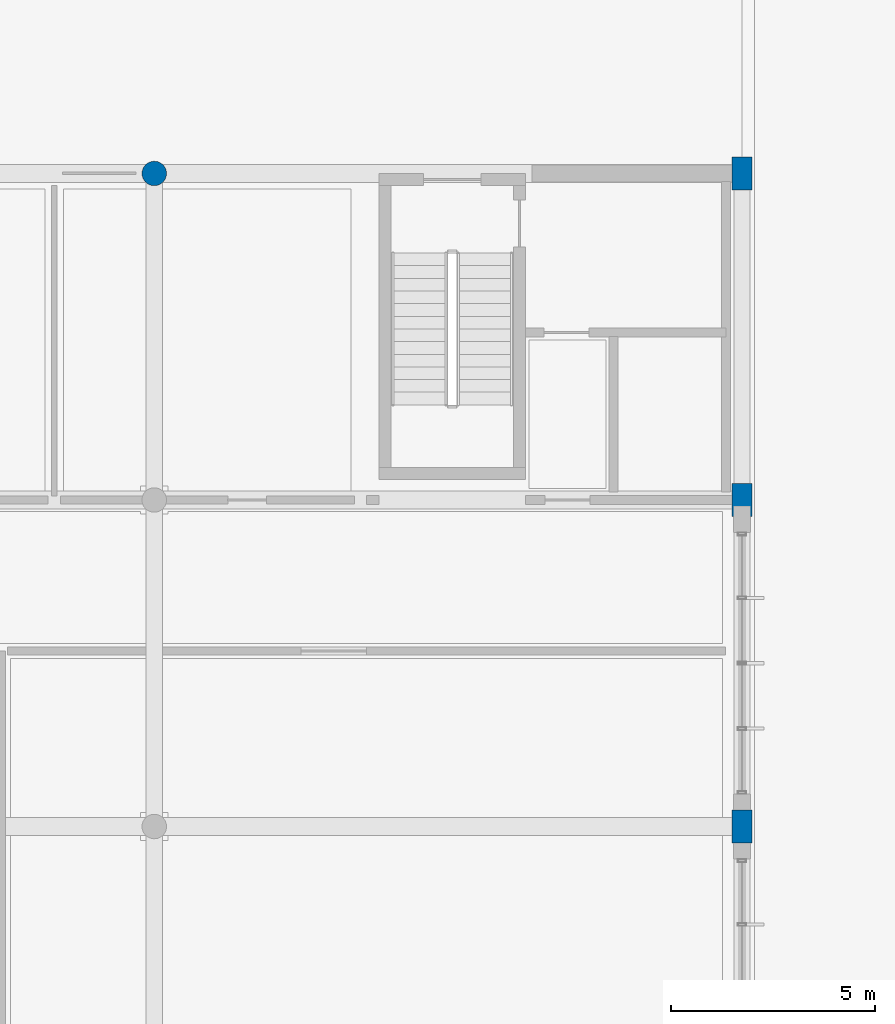
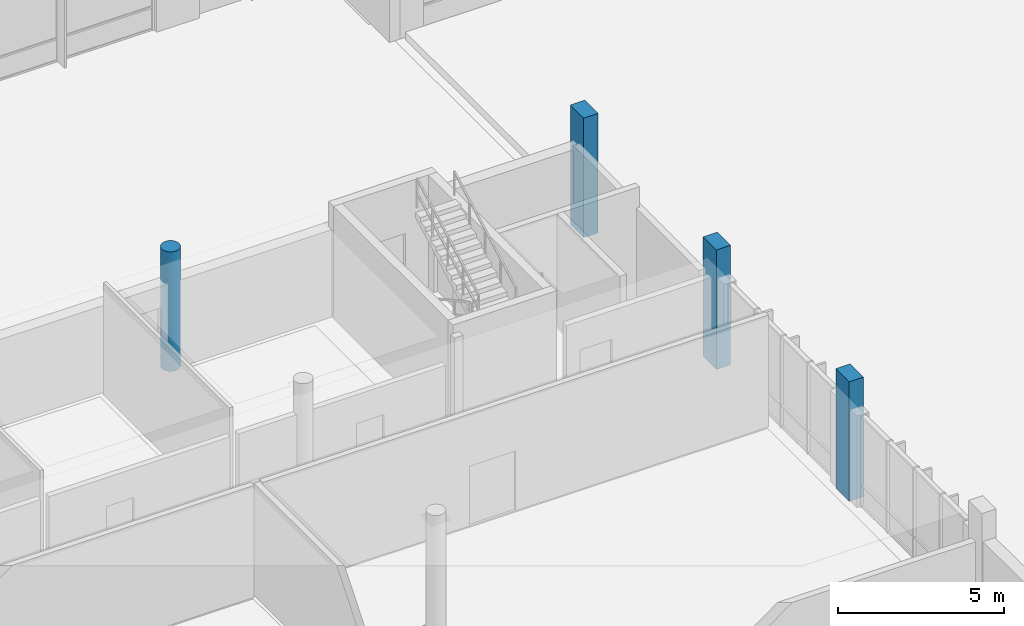
# One storey, part 10 of 233: 4 columns.
"""IFC4 building model written with IfcOpenShell, lengths in metres."""

from ifc_helpers import new_model, si_unit, direction, frame, origin, origin_2d, place, context, subcontext, project, spatial, rectangle, circle, extrude, material, material_profile, profile_set, type_object, element, save


model = new_model("IFC4")

# Units and contexts
model_context = context("Model", 3, precision=1e-05, world=origin(), true_north=direction((0.0, 1.0)))
body_context = subcontext(model_context, "Body", "Model", "MODEL_VIEW")
ifc_project = project(units=[si_unit("LENGTHUNIT", "METRE"), si_unit("AREAUNIT", "SQUARE_METRE"), si_unit("VOLUMEUNIT", "CUBIC_METRE"), si_unit("PLANEANGLEUNIT", "RADIAN"), si_unit("MASSUNIT", "GRAM", prefix="KILO")], contexts=[model_context])

# Site, building, storey
site_placement = place(None, origin())
site = spatial("IfcSite", under=ifc_project, at=site_placement, CompositionType="ELEMENT")
building_placement = place(site_placement, origin())
building = spatial("IfcBuilding", under=site, at=building_placement, Name="Zavelmont Quarter", CompositionType="ELEMENT")
storey_placement = place(building_placement, origin())
storey = spatial("IfcBuildingStorey", under=building, at=storey_placement, Name="L00", CompositionType="ELEMENT", Elevation=0.0)

# Columns
ifc_material = material(Name="Concrete C40/50", Category="concrete")
ifc_material_profile_1 = material_profile(ifc_material, rectangle(XDim=0.5, YDim=0.800048828125, at=origin_2d()), Name="RC500X800")
ifc_profile_set_1 = profile_set([ifc_material_profile_1], Name="Concrete C40/50")
column_type_1 = type_object("IfcColumnType", Name="CL07", PredefinedType="COLUMN", material=ifc_profile_set_1)
for number, where, z_axis, x_axis, name in (
    (1, (112.800048828125, 70.0, 0.0), (0.0, 0.0, 1.0), (1.0, 0.0, 0.0), "L00 column CL07 at 17/L"),
    (2, (112.800048828125, 78.0, 0.0), (0.0, 0.0, 1.0), (1.0, 0.0, 0.0), "L00 column CL07 at 17/M"),
    (3, (112.800048828125, 86.0, 0.0), (0.0, 0.0, 1.0), (1.0, 0.0, 0.0), "L00 column CL07 at 17/N"),
):
    element("IfcColumn", number, at=place(storey_placement, frame(where, z_axis=z_axis, x_axis=x_axis)), inside=storey, type_object=column_type_1, Name=name, PredefinedType="COLUMN", context=body_context, shape_type="SweptSolid", body=[
        extrude(rectangle(XDim=0.5, YDim=0.800048828125, at=origin_2d()), origin(), (0.0, 0.0, 1.0), 4.39990234375),
    ])
ifc_material_profile_2 = material_profile(ifc_material, circle(Radius=0.300048828125, at=origin_2d()), Name="CHD600")
ifc_profile_set_2 = profile_set([ifc_material_profile_2], Name="Concrete C40/50")
column_type_2 = type_object("IfcColumnType", Name="CL08", PredefinedType="COLUMN", material=ifc_profile_set_2)
column_placement = place(storey_placement, frame((98.39990234375, 86.0, 0.0), z_axis=(0.0, 0.0, 1.0), x_axis=(1.0, 0.0, 0.0)))
element("IfcColumn", 4, at=column_placement, inside=storey, type_object=column_type_2, Name="L00 column CL08 at 15/N", PredefinedType="COLUMN", context=body_context, shape_type="SweptSolid", body=[
    extrude(circle(Radius=0.300048828125, at=origin_2d()), origin(), (0.0, 0.0, 1.0), 4.39990234375),
])

save(model, "model.ifc")
